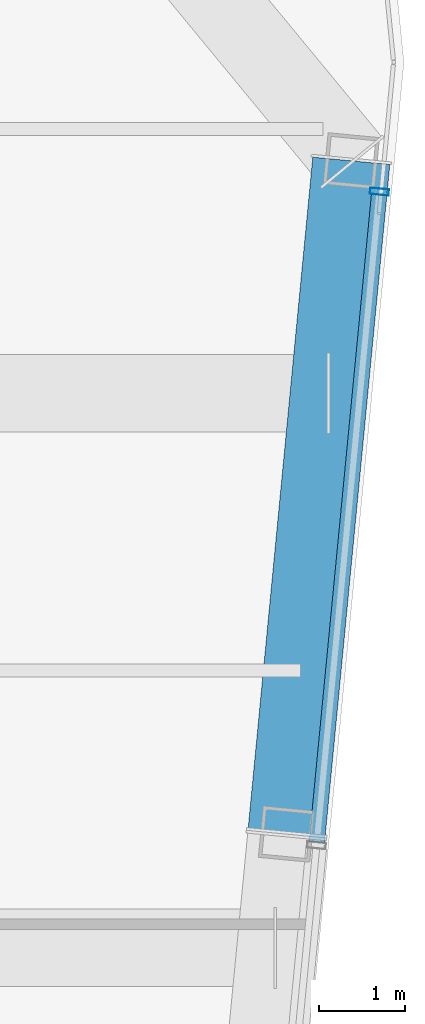
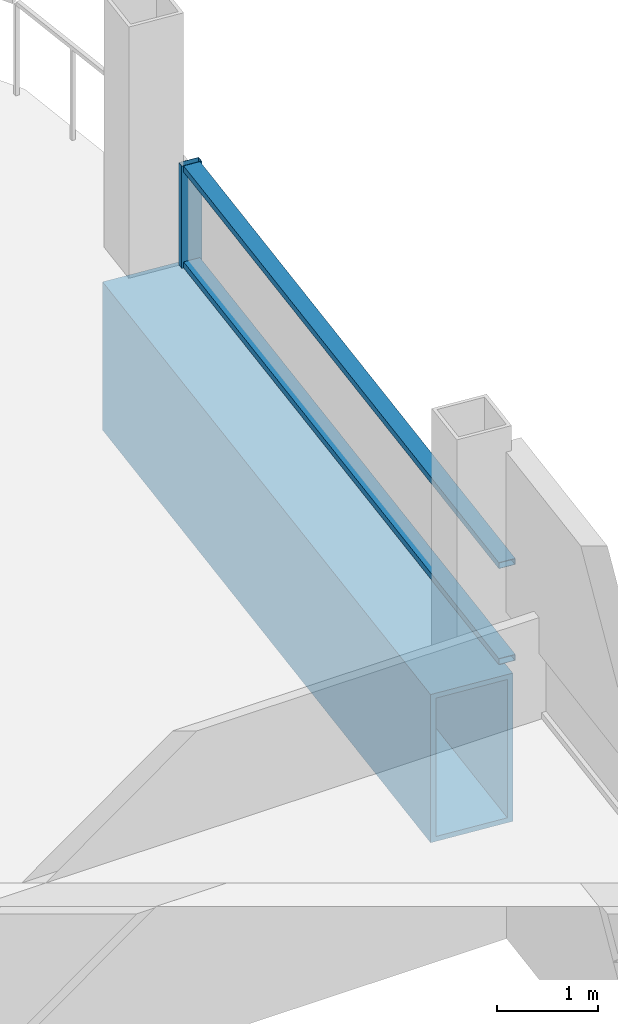
# One storey, part 11 of 21: 3 members, 1 beam, 1 element without a shape of its own.
"""IFC4 building model written with IfcOpenShell, lengths in metres."""

import ifcopenshell
import ifcopenshell.guid

model = None  # the IFC model being written
_history = None  # IfcOwnerHistory: only IFC2X3 demands one
_inside = {}  # id of a spatial element -> (the spatial element, [elements in it])
_under = {}  # id of a project, library or spatial element -> (it, [spatial elements below it])
_declared = {}  # id of a project -> (the project, [libraries it declares])
_typed = {}  # id of a type object -> (the type object, [elements of that type])
_made_of = {}  # id of a material, layer set ... -> (it, [elements and type objects made of it])


def new_model(schema):
    """Start an empty IFC model of exactly this schema.

    Asked for "IFC4X3", IfcOpenShell would pick the latest addendum, in which some entities
    have other attributes; the version numbers below select the first issue.
    IFC2X3 requires an IfcOwnerHistory on every rooted entity: one is made here for all.
    """
    global model, _history
    if schema == "IFC4X3":
        model = ifcopenshell.file(schema_version=(4, 3, 0, 0))
    else:
        model = ifcopenshell.file(schema=schema)
    _inside.clear()
    _under.clear()
    _declared.clear()
    _typed.clear()
    _made_of.clear()
    _history = None
    if model.schema == "IFC2X3":
        org = make("IfcOrganization", Name="unknown")
        user = make(
            "IfcPersonAndOrganization",
            ThePerson=make("IfcPerson", FamilyName="unknown"),
            TheOrganization=org,
        )
        app = make(
            "IfcApplication",
            ApplicationDeveloper=org,
            Version="unknown",
            ApplicationFullName="unknown",
            ApplicationIdentifier="unknown",
        )
        _history = make(
            "IfcOwnerHistory",
            OwningUser=user,
            OwningApplication=app,
            ChangeAction="ADDED",
            CreationDate=0,
        )
    return model


def make(cls, **values):
    """One entity of the class cls with the attributes given. An attribute that is None is left unset."""
    return model.create_entity(
        cls, **{name: value for name, value in values.items() if value is not None}
    )


def rooted(cls, **values):
    """An entity with a GlobalId (a new one), such as an element, a storey or a relation."""
    return make(cls, GlobalId=ifcopenshell.guid.new(), OwnerHistory=_history, **values)


def si_unit(unit_type, name, prefix=None):
    """IfcSIUnit, for example si_unit("LENGTHUNIT", "METRE", prefix="MILLI")."""
    return make("IfcSIUnit", UnitType=unit_type, Prefix=prefix, Name=name)


def assignment(units):
    """IfcUnitAssignment: the units of a project."""
    return None if units is None else make("IfcUnitAssignment", Units=units)


def point(xyz):
    """IfcCartesianPoint."""
    return None if xyz is None else make("IfcCartesianPoint", Coordinates=xyz)


def direction(xyz):
    """IfcDirection."""
    return None if xyz is None else make("IfcDirection", DirectionRatios=xyz)


def frame(location, z_axis=None, x_axis=None):
    """IfcAxis2Placement3D, a coordinate frame: its origin and axes. An axis left out is left unset."""
    return make(
        "IfcAxis2Placement3D",
        Location=point(location),
        Axis=direction(z_axis),
        RefDirection=direction(x_axis),
    )


def frame_2d(location, x_axis=None):
    """IfcAxis2Placement2D, a coordinate frame in the plane: its origin and x axis."""
    return make(
        "IfcAxis2Placement2D", Location=point(location), RefDirection=direction(x_axis)
    )


def origin():
    """The frame at (0, 0, 0) with its axes left unset."""
    return frame((0.0, 0.0, 0.0))


def origin_2d():
    """The frame at (0, 0) in the plane with its x axis left unset."""
    return frame_2d((0.0, 0.0))


def place(relative_to, where):
    """IfcLocalPlacement: puts the frame where relative to a parent placement (None: the world)."""
    return make(
        "IfcLocalPlacement", PlacementRelTo=relative_to, RelativePlacement=where
    )


def context(
    kind, dimensions, precision=None, world=None, true_north=None, identifier=None
):
    """IfcGeometricRepresentationContext, for example the 3D "Model" context."""
    return make(
        "IfcGeometricRepresentationContext",
        ContextIdentifier=identifier,
        ContextType=kind,
        CoordinateSpaceDimension=dimensions,
        Precision=precision,
        WorldCoordinateSystem=world,
        TrueNorth=true_north,
    )


def subcontext(parent, identifier, kind, view, scale=None):
    """IfcGeometricRepresentationSubContext, for example "Body" below "Model"."""
    return make(
        "IfcGeometricRepresentationSubContext",
        ContextIdentifier=identifier,
        ContextType=kind,
        ParentContext=parent,
        TargetScale=scale,
        TargetView=view,
    )


def project(units=None, contexts=None):
    """IfcProject with its units and contexts."""
    return rooted(
        "IfcProject",
        Name="project",
        RepresentationContexts=contexts,
        UnitsInContext=assignment(units),
    )


def spatial(cls, under=None, at=None, **own):
    """A site, building, storey or space (cls), placed at a placement, below another one or the project."""
    s = rooted(cls, ObjectPlacement=at, **own)
    if under is not None:
        _under.setdefault(under.id(), (under, []))[1].append(s)
    return s


def profile(cls, at=None, kind="AREA", **sizes):
    """A parametric profile (cls). Its sizes go by their IFC names, for example OverallWidth=200.0."""
    return make(cls, ProfileType=kind, Position=at, **sizes)


def hollow_rectangle(**sizes):
    """IfcRectangleHollowProfileDef."""
    return profile("IfcRectangleHollowProfileDef", **sizes)


def extrude(swept, where, along, depth):
    """IfcExtrudedAreaSolid: the profile swept, set in the frame where, extruded along a direction by depth."""
    return make(
        "IfcExtrudedAreaSolid",
        SweptArea=swept,
        Position=where,
        ExtrudedDirection=direction(along),
        Depth=depth,
    )


def shape(context_of_items, identifier, shape_type, items):
    """IfcShapeRepresentation: the items that make up one representation, for example the "Body"."""
    return make(
        "IfcShapeRepresentation",
        ContextOfItems=context_of_items,
        RepresentationIdentifier=identifier,
        RepresentationType=shape_type,
        Items=items,
    )


def material(Name=None, Category=None):
    """IfcMaterial."""
    return make("IfcMaterial", Name=Name, Category=Category)


def layer(
    of_material, thickness, ventilated=None, Name=None, Category=None, Priority=None
):
    """IfcMaterialLayer: one layer of a wall or slab, of a material (None: an air gap)."""
    return make(
        "IfcMaterialLayer",
        Material=of_material,
        LayerThickness=thickness,
        IsVentilated=ventilated,
        Name=Name,
        Category=Category,
        Priority=Priority,
    )


def layer_set(layers, Name=None):
    """IfcMaterialLayerSet."""
    return make("IfcMaterialLayerSet", MaterialLayers=layers, LayerSetName=Name)


def material_profile(
    of_material, cross_section, Name=None, Category=None, Priority=None
):
    """IfcMaterialProfile: a cross section and its material."""
    return make(
        "IfcMaterialProfile",
        Name=Name,
        Material=of_material,
        Profile=cross_section,
        Priority=Priority,
        Category=Category,
    )


def profile_set(profiles, Name=None, composite=None):
    """IfcMaterialProfileSet."""
    return make(
        "IfcMaterialProfileSet",
        Name=Name,
        MaterialProfiles=profiles,
        CompositeProfile=composite,
    )


def made_of(thing, what):
    """Note that an element or type object is made of a material, layer set ...; save() writes the relation."""
    if what is not None:
        _made_of.setdefault(what.id(), (what, []))[1].append(thing)
    return thing


def type_object(cls, material=None, **own):
    """A type object (cls), such as IfcWallType, which elements share."""
    return made_of(rooted(cls, **own), material)


def element(
    cls,
    number,
    at=None,
    inside=None,
    cuts=None,
    type_object=None,
    material=None,
    context=None,
    identifier="Body",
    shape_type=None,
    held_by="IfcProductDefinitionShape",
    body=None,
    shapes=None,
    **own,
):
    """One element of the class cls, such as IfcWall. Its Tag is "e" and its number.

    at: its placement. inside: the storey or other place that contains it. cuts: it is an
    opening in that element (IfcRelVoidsElement). A single representation is given by context,
    identifier, shape_type and body (its items); several are given by shapes. held_by: the class
    of the entity that holds the representations. save() writes the other relations.
    """
    e = rooted(cls, Tag="e%d" % number, ObjectPlacement=at, **own)
    if body is not None:
        shapes = [shape(context, identifier, shape_type, body)]
    if shapes is not None:
        e.Representation = make(held_by, Representations=shapes)
    if inside is not None:
        _inside.setdefault(inside.id(), (inside, []))[1].append(e)
    if cuts is not None:
        rooted(
            "IfcRelVoidsElement", RelatingBuildingElement=cuts, RelatedOpeningElement=e
        )
    if type_object is not None:
        _typed.setdefault(type_object.id(), (type_object, []))[1].append(e)
    return made_of(e, material)


def aggregate(whole, parts):
    """IfcRelAggregates: a whole, such as a stair, and the parts it consists of."""
    return rooted("IfcRelAggregates", RelatingObject=whole, RelatedObjects=parts)


def save(model, path):
    """Write the relations noted so far, then the file.

    IfcRelAggregates (storeys below a building ...), IfcRelContainedInSpatialStructure (elements
    in a storey), IfcRelDefinesByType, IfcRelAssociatesMaterial and IfcRelDeclares: one each for
    every whole, place, type object, material and project.
    """
    for whole, parts in _under.values():
        aggregate(whole, parts)
    for where, things in _inside.values():
        rooted(
            "IfcRelContainedInSpatialStructure",
            RelatedElements=things,
            RelatingStructure=where,
        )
    for kind, things in _typed.values():
        rooted("IfcRelDefinesByType", RelatedObjects=things, RelatingType=kind)
    for what, things in _made_of.values():
        rooted("IfcRelAssociatesMaterial", RelatedObjects=things, RelatingMaterial=what)
    for by, libraries in _declared.values():
        rooted("IfcRelDeclares", RelatingContext=by, RelatedDefinitions=libraries)
    model.write(path)


model = new_model("IFC4")

# Units and contexts
model_context = context("Model", 3, precision=1e-05, world=origin(), true_north=direction((0.0, 1.0)))
body_context = subcontext(model_context, "Body", "Model", "MODEL_VIEW")
ifc_project = project(units=[si_unit("LENGTHUNIT", "METRE"), si_unit("AREAUNIT", "SQUARE_METRE"), si_unit("VOLUMEUNIT", "CUBIC_METRE"), si_unit("PLANEANGLEUNIT", "RADIAN"), si_unit("MASSUNIT", "GRAM", prefix="KILO")], contexts=[model_context])

# Site, building, storey
site_placement = place(None, origin())
site = spatial("IfcSite", under=ifc_project, at=site_placement, CompositionType="ELEMENT")
building_placement = place(site_placement, origin())
building = spatial("IfcBuilding", under=site, at=building_placement, Name="Qhalaya Broadcast Tower", CompositionType="ELEMENT")
storey_placement = place(building_placement, frame((0.0, 0.0, 270.300048828125)))
storey = spatial("IfcBuildingStorey", under=building, at=storey_placement, Name="L80", CompositionType="ELEMENT", Elevation=270.300048828125)

# Beam
ifc_material_1 = material(Name="Structural Steel ASTM A572 Grade 50", Category="steel")
ifc_material_profile_1 = material_profile(ifc_material_1, hollow_rectangle(XDim=0.89990234375, YDim=1.800048828125, WallThickness=0.06005859375, at=origin_2d()), Name="BOX 900x1800x60")
ifc_profile_set_1 = profile_set([ifc_material_profile_1], Name="Structural Steel ASTM A572 Grade 50")
beam_type = type_object("IfcBeamType", Name="Block Cantilever Transfer Box Girder TG1", PredefinedType="USERDEFINED", material=ifc_profile_set_1)
beam_placement = place(storey_placement, frame((21.33642578125, -1.302001953125, -1.090087890625), z_axis=(0.095837184179, 0.995397023367, 0.0), x_axis=(-0.995397023367, 0.095837184179, 0.0)))
element("IfcBeam", 1, at=beam_placement, inside=storey, type_object=beam_type, Name="L80 TG1 L80-SPR-07", ObjectType="GIRDER", PredefinedType="USERDEFINED", context=body_context, shape_type="SweptSolid", body=[
    extrude(hollow_rectangle(XDim=0.89990234375, YDim=1.800048828125, WallThickness=0.06005859375, at=origin_2d()), origin(), (0.0, 0.0, 1.0), 7.866455078125),
])

# Curtain wall, members
ifc_material_2 = material(Name="Fired Architectural Terracotta", Category="masonry")
ifc_layer = layer(ifc_material_2, 0.219970703125, Name="Fired Architectural Terracotta")
ifc_layer_set = layer_set([ifc_layer], Name="Fired Architectural Terracotta")
curtain_wall_type = type_object("IfcCurtainWallType", Name="Block-Cap Unitised Terracotta Spandrel Wall CW-07", PredefinedType="NOTDEFINED", material=ifc_layer_set)
curtain_wall_placement = place(storey_placement, origin())
curtain_wall = element("IfcCurtainWall", 2, at=curtain_wall_placement, inside=storey, type_object=curtain_wall_type, Name="L80 Unitised Curtain Wall L80-CW-E", PredefinedType="NOTDEFINED")
ifc_material_3 = material(Name="Anodised Aluminium 6063-T6", Category="aluminium")
ifc_material_profile_2 = material_profile(ifc_material_3, hollow_rectangle(XDim=0.074951171875, YDim=0.219970703125, WallThickness=0.00390625, at=origin_2d()), Name="ALU-MUL 75x220x4")
ifc_profile_set_2 = profile_set([ifc_material_profile_2], Name="Anodised Aluminium 6063-T6")
member_type_1 = type_object("IfcMemberType", Name="Unitised Curtain-Wall Mullion M01", PredefinedType="MULLION", material=ifc_profile_set_2)
member_1_placement = place(storey_placement, frame((22.417724609375, 6.169921875, 0.0), z_axis=(0.0, 0.0, 1.0), x_axis=(-0.095847800651, -0.995396001153, 0.0)))
member_1 = element("IfcMember", 3, at=member_1_placement, type_object=member_type_1, Name="CW-07 mullion 1", PredefinedType="MULLION", context=body_context, shape_type="SweptSolid", body=[
    extrude(hollow_rectangle(XDim=0.074951171875, YDim=0.219970703125, WallThickness=0.00390625, at=origin_2d()), origin(), (0.0, 0.0, 1.0), 1.239990234375),
])
ifc_material_profile_3 = material_profile(ifc_material_3, hollow_rectangle(XDim=0.074951171875, YDim=0.179931640625, WallThickness=0.00390625, at=origin_2d()), Name="ALU-TRN 75x180x4")
ifc_profile_set_3 = profile_set([ifc_material_profile_3], Name="Anodised Aluminium 6063-T6")
member_type_2 = type_object("IfcMemberType", Name="Unitised Curtain-Wall Transom T01", PredefinedType="USERDEFINED", material=ifc_profile_set_3)
member_2_placement = place(storey_placement, frame((22.4140625, 6.132568359375, 0.037353515625), z_axis=(-0.095852664018, -0.995395532841, 0.0), x_axis=(0.0, 0.0, 1.0)))
member_2 = element("IfcMember", 4, at=member_2_placement, type_object=member_type_2, Name="CW-07 transom 1.1", ObjectType="TRANSOM", PredefinedType="USERDEFINED", context=body_context, shape_type="SweptSolid", body=[
    extrude(hollow_rectangle(XDim=0.074951171875, YDim=0.179931640625, WallThickness=0.00390625, at=origin_2d()), origin(), (0.0, 0.0, 1.0), 7.562255859375),
])
member_3_placement = place(storey_placement, frame((22.4140625, 6.132568359375, 1.202392578125), z_axis=(-0.095852664018, -0.995395532841, 0.0), x_axis=(0.0, 0.0, 1.0)))
member_3 = element("IfcMember", 5, at=member_3_placement, type_object=member_type_2, Name="CW-07 transom 1.2", ObjectType="TRANSOM", PredefinedType="USERDEFINED", context=body_context, shape_type="SweptSolid", body=[
    extrude(hollow_rectangle(XDim=0.074951171875, YDim=0.179931640625, WallThickness=0.00390625, at=origin_2d()), origin(), (0.0, 0.0, 1.0), 7.562255859375),
])
aggregate(curtain_wall, [member_1, member_2, member_3])

save(model, "model.ifc")
